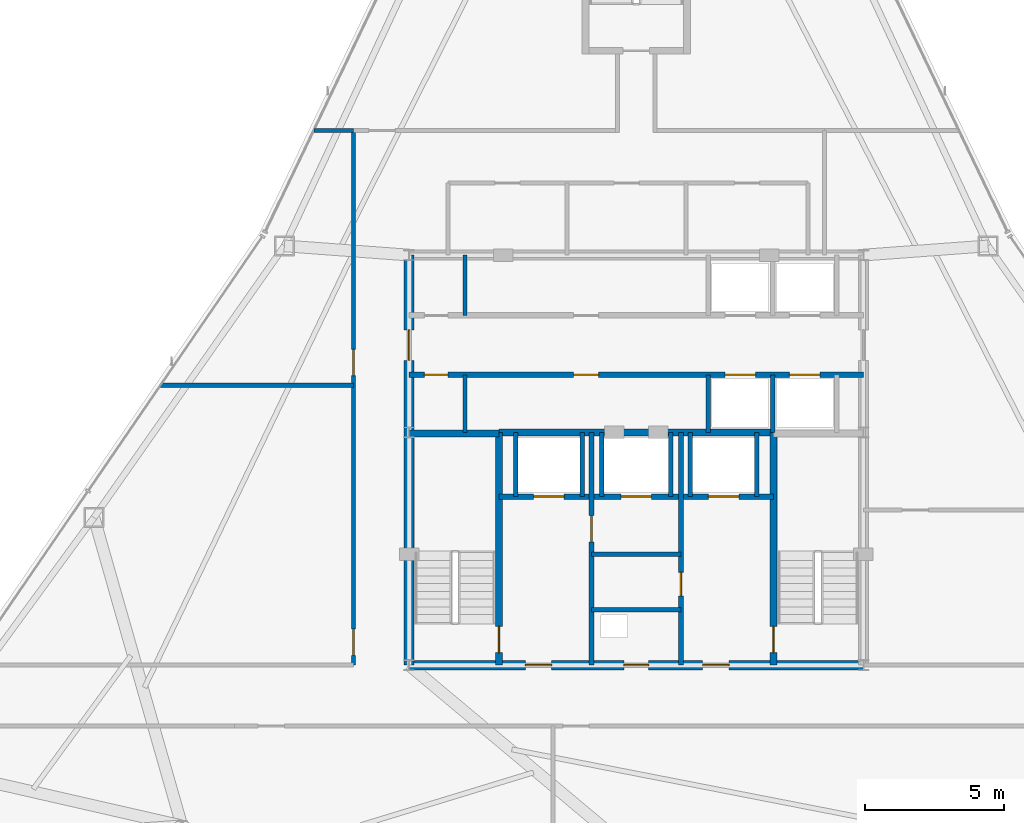
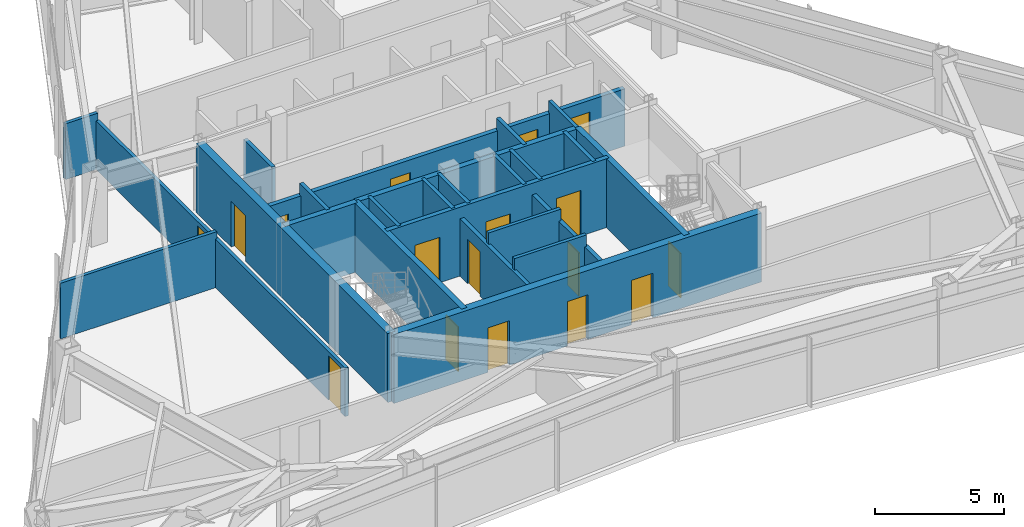
# One storey, part 9 of 12: 25 walls, 17 doors, 17 openings.
"""IFC4 building model written with IfcOpenShell, lengths in metres."""

from ifc_helpers import new_model, si_unit, direction, frame, frame_2d, origin, place, context, subcontext, project, spatial, rectangle, extrude, material, layer, layer_set, type_object, element, fill, save


model = new_model("IFC4")

# Units and contexts
model_context = context("Model", 3, precision=1e-05, world=origin(), true_north=direction((0.0, 1.0)))
body_context = subcontext(model_context, "Body", "Model", "MODEL_VIEW")
ifc_project = project(units=[si_unit("LENGTHUNIT", "METRE"), si_unit("AREAUNIT", "SQUARE_METRE"), si_unit("VOLUMEUNIT", "CUBIC_METRE"), si_unit("PLANEANGLEUNIT", "RADIAN"), si_unit("MASSUNIT", "GRAM", prefix="KILO")], contexts=[model_context])

# Site, building, storey
site_placement = place(None, origin())
site = spatial("IfcSite", under=ifc_project, at=site_placement, CompositionType="ELEMENT")
building_placement = place(site_placement, origin())
building = spatial("IfcBuilding", under=site, at=building_placement, Name="Varakhsha Concourse Tower", CompositionType="ELEMENT")
storey_placement = place(building_placement, frame((0.0, 0.0, 218.89990234375)))
storey = spatial("IfcBuildingStorey", under=building, at=storey_placement, Name="L62", CompositionType="ELEMENT", Elevation=218.89990234375)

# Wall, openings, doors
ifc_material_1 = material(Name="Concrete fc 65 MPa", Category="concrete")
ifc_layer_1 = layer(ifc_material_1, 0.35009765625, Name="WL-CORE-350")
ifc_layer_set_1 = layer_set([ifc_layer_1], Name="Concrete fc 65 MPa")
wall_type_1 = type_object("IfcWallType", Name="WL-CORE-350", PredefinedType="SHEAR", material=ifc_layer_set_1)
wall_1_placement = place(storey_placement, frame((31.800048828125, 16.39990234375, 0.0), z_axis=(0.0, 0.0, 1.0), x_axis=(1.0, 0.0, 0.0)))
wall_1 = element("IfcWall", 1, at=wall_1_placement, inside=storey, type_object=wall_type_1, Name="L62 Wall CWALL-S-L62", PredefinedType="SHEAR", context=body_context, shape_type="SweptSolid", body=[
    extrude(rectangle(XDim=16.39990234375, YDim=0.35009765625, at=frame_2d((8.199951171875, 0.0))), origin(), (0.0, 0.0, 1.0), 3.25),
])
opening_1_placement = place(wall_1_placement, frame((7.75, 0.0, 0.0)))
opening_1 = element("IfcOpeningElement", 2, at=opening_1_placement, cuts=wall_1, Name="Opening DF-06", PredefinedType="OPENING", context=body_context, shape_type="SweptSolid", body=[
    extrude(rectangle(XDim=0.89990234375, YDim=2.10009765625, at=frame_2d((0.449951171875, 1.050048828125))), frame((0.0, 0.18505859375, 0.0), z_axis=(0.0, -1.0, 0.0), x_axis=(1.0, 0.0, 0.0)), (0.0, 0.0, 1.0), 0.3701171875),
])
opening_2_placement = place(wall_1_placement, frame((4.199951171875, 0.0, 0.0)))
opening_2 = element("IfcOpeningElement", 3, at=opening_2_placement, cuts=wall_1, Name="Opening DF-05", PredefinedType="OPENING", context=body_context, shape_type="SweptSolid", body=[
    extrude(rectangle(XDim=0.949951171875, YDim=2.10009765625, at=frame_2d((0.47509765625, 1.050048828125))), frame((0.0, 0.18505859375, 0.0), z_axis=(0.0, -1.0, 0.0), x_axis=(1.0, 0.0, 0.0)), (0.0, 0.0, 1.0), 0.3701171875),
])
opening_3_placement = place(wall_1_placement, frame((10.60009765625, 0.0, 0.0)))
opening_3 = element("IfcOpeningElement", 4, at=opening_3_placement, cuts=wall_1, Name="Opening DF-05", PredefinedType="OPENING", context=body_context, shape_type="SweptSolid", body=[
    extrude(rectangle(XDim=0.949951171875, YDim=2.10009765625, at=frame_2d((0.47509765625, 1.050048828125))), frame((0.0, 0.18505859375, 0.0), z_axis=(0.0, -1.0, 0.0), x_axis=(1.0, 0.0, 0.0)), (0.0, 0.0, 1.0), 0.3701171875),
])
ifc_material_2 = material(Name="Hollow Galvanised Steel Fire Door Assembly", Category="steel")
door_type_1 = type_object("IfcDoorType", Name="DR-FD60-900", OperationType="NOTDEFINED", PredefinedType="DOOR", material=ifc_material_2)
door_1_placement = place(opening_1_placement, origin())
door_1 = element("IfcDoor", 5, at=door_1_placement, inside=storey, type_object=door_type_1, Name="L62 Electrical Riser Door", OperationType="SINGLE_SWING_LEFT", OverallHeight=2.10009765625, OverallWidth=0.89990234375, PredefinedType="DOOR", context=body_context, shape_type="SweptSolid", body=[
    extrude(rectangle(XDim=0.89990234375, YDim=2.10009765625, at=frame_2d((0.449951171875, 1.050048828125))), frame((0.0, 0.02490234375, 0.0), z_axis=(0.0, -1.0, 0.0), x_axis=(1.0, 0.0, 0.0)), (0.0, 0.0, 1.0), 0.050048828125),
])
fill(opening_1, door_1)
door_type_2 = type_object("IfcDoorType", Name="DR-FD60-950", OperationType="NOTDEFINED", PredefinedType="DOOR", material=ifc_material_2)
door_2_placement = place(opening_2_placement, origin())
door_2 = element("IfcDoor", 6, at=door_2_placement, inside=storey, type_object=door_type_2, Name="L62 Firefighting Lobby West Door", OperationType="SINGLE_SWING_RIGHT", OverallHeight=2.10009765625, OverallWidth=0.949951171875, PredefinedType="DOOR", context=body_context, shape_type="SweptSolid", body=[
    extrude(rectangle(XDim=0.949951171875, YDim=2.10009765625, at=frame_2d((0.47509765625, 1.050048828125))), frame((0.0, 0.02490234375, 0.0), z_axis=(0.0, -1.0, 0.0), x_axis=(1.0, 0.0, 0.0)), (0.0, 0.0, 1.0), 0.050048828125),
])
fill(opening_2, door_2)
door_3_placement = place(opening_3_placement, origin())
door_3 = element("IfcDoor", 7, at=door_3_placement, inside=storey, type_object=door_type_2, Name="L62 Firefighting Lobby East Door", OperationType="SINGLE_SWING_LEFT", OverallHeight=2.10009765625, OverallWidth=0.949951171875, PredefinedType="DOOR", context=body_context, shape_type="SweptSolid", body=[
    extrude(rectangle(XDim=0.949951171875, YDim=2.10009765625, at=frame_2d((0.47509765625, 1.050048828125))), frame((0.0, 0.02490234375, 0.0), z_axis=(0.0, -1.0, 0.0), x_axis=(1.0, 0.0, 0.0)), (0.0, 0.0, 1.0), 0.050048828125),
])
fill(opening_3, door_3)

# Wall, opening, door
wall_2_placement = place(storey_placement, frame((31.800048828125, 16.39990234375, 0.0), z_axis=(0.0, 0.0, 1.0), x_axis=(0.0, 1.0, 0.0)))
wall_2 = element("IfcWall", 8, at=wall_2_placement, inside=storey, type_object=wall_type_1, Name="L62 Wall CWALL-W-L62", PredefinedType="SHEAR", context=body_context, shape_type="SweptSolid", body=[
    extrude(rectangle(XDim=14.800048828125, YDim=0.35009765625, at=frame_2d((7.39990234375, 0.0))), origin(), (0.0, 0.0, 1.0), 3.25),
])
opening_4_placement = place(wall_2_placement, frame((11.0, 0.0, 0.0)))
opening_4 = element("IfcOpeningElement", 9, at=opening_4_placement, cuts=wall_2, Name="Opening DL-01", PredefinedType="OPENING", context=body_context, shape_type="SweptSolid", body=[
    extrude(rectangle(XDim=1.10009765625, YDim=2.14990234375, at=frame_2d((0.550048828125, 1.074951171875))), frame((0.0, 0.18505859375, 0.0), z_axis=(0.0, -1.0, 0.0), x_axis=(1.0, 0.0, 0.0)), (0.0, 0.0, 1.0), 0.3701171875),
])
ifc_material_3 = material(Name="Anodised Bronze Architectural Aluminium AA 6063-T6", Category="aluminium")
door_type_3 = type_object("IfcDoorType", Name="DR-LOB-1100", OperationType="NOTDEFINED", PredefinedType="DOOR", material=ifc_material_3)
door_4_placement = place(opening_4_placement, origin())
door_4 = element("IfcDoor", 10, at=door_4_placement, inside=storey, type_object=door_type_3, Name="L62 Lift Lobby West Concourse Door", OperationType="SINGLE_SWING_LEFT", OverallHeight=2.14990234375, OverallWidth=1.10009765625, PredefinedType="DOOR", context=body_context, shape_type="SweptSolid", body=[
    extrude(rectangle(XDim=1.10009765625, YDim=2.14990234375, at=frame_2d((0.550048828125, 1.074951171875))), frame((0.0, 0.02490234375, 0.0), z_axis=(0.0, -1.0, 0.0), x_axis=(1.0, 0.0, 0.0)), (0.0, 0.0, 1.0), 0.050048828125),
])
fill(opening_4, door_4)

ifc_material_4 = material(Name="Fire-Rated Type X Gypsum Partition Assembly", Category="gypsum")
ifc_layer_2 = layer(ifc_material_4, 0.179931640625, Name="WL-FFLOB-180")
ifc_layer_set_2 = layer_set([ifc_layer_2], Name="Fire-Rated Type X Gypsum Partition Assembly")
wall_type_2 = type_object("IfcWallType", Name="WL-FFLOB-180", PredefinedType="PARTITIONING", material=ifc_layer_set_2)
wall_3_placement = place(storey_placement, frame((38.389892578125, 16.39990234375, 0.0), z_axis=(0.0, 0.0, 1.0), x_axis=(0.0, 1.0, 0.0)))
wall_3 = element("IfcWall", 11, at=wall_3_placement, inside=storey, type_object=wall_type_2, Name="L62 Wall FFW-1E-L62", PredefinedType="PARTITIONING", context=body_context, shape_type="SweptSolid", body=[
    extrude(rectangle(XDim=8.400146484375, YDim=0.179931640625, at=frame_2d((4.2001953125, 0.0))), origin(), (0.0, 0.0, 1.0), 2.705078125),
])
opening_5_placement = place(wall_3_placement, frame((4.449951171875, 0.0, 0.0)))
opening_5 = element("IfcOpeningElement", 12, at=opening_5_placement, cuts=wall_3, Name="Opening DF-05", PredefinedType="OPENING", context=body_context, shape_type="SweptSolid", body=[
    extrude(rectangle(XDim=0.949951171875, YDim=2.10009765625, at=frame_2d((0.47509765625, 1.050048828125))), frame((0.0, 0.099853515625, 0.0), z_axis=(0.0, -1.0, 0.0), x_axis=(1.0, 0.0, 0.0)), (0.0, 0.0, 1.0), 0.199951171875),
])
door_5_placement = place(opening_5_placement, origin())
door_5 = element("IfcDoor", 13, at=door_5_placement, inside=storey, type_object=door_type_2, Name="L62 Service Vestibule Door", OperationType="SINGLE_SWING_RIGHT", OverallHeight=2.10009765625, OverallWidth=0.949951171875, PredefinedType="DOOR", context=body_context, shape_type="SweptSolid", body=[
    extrude(rectangle(XDim=0.949951171875, YDim=2.10009765625, at=frame_2d((0.47509765625, 1.050048828125))), frame((0.0, 0.02490234375, 0.0), z_axis=(0.0, -1.0, 0.0), x_axis=(1.0, 0.0, 0.0)), (0.0, 0.0, 1.0), 0.050048828125),
])
fill(opening_5, door_5)

wall_4_placement = place(storey_placement, frame((41.610107421875, 16.39990234375, 0.0), z_axis=(0.0, 0.0, 1.0), x_axis=(0.0, 1.0, 0.0)))
wall_4 = element("IfcWall", 14, at=wall_4_placement, inside=storey, type_object=wall_type_2, Name="L62 Wall FFW-2W-L62", PredefinedType="PARTITIONING", context=body_context, shape_type="SweptSolid", body=[
    extrude(rectangle(XDim=8.400146484375, YDim=0.179931640625, at=frame_2d((4.2001953125, 0.0))), origin(), (0.0, 0.0, 1.0), 2.705078125),
])
opening_6_placement = place(wall_4_placement, frame((2.5, 0.0, 0.0)))
opening_6 = element("IfcOpeningElement", 15, at=opening_6_placement, cuts=wall_4, Name="Opening DF-07", PredefinedType="OPENING", context=body_context, shape_type="SweptSolid", body=[
    extrude(rectangle(XDim=0.85009765625, YDim=2.050048828125, at=frame_2d((0.425048828125, 1.02490234375))), frame((0.0, 0.099853515625, 0.0), z_axis=(0.0, -1.0, 0.0), x_axis=(1.0, 0.0, 0.0)), (0.0, 0.0, 1.0), 0.199951171875),
])
door_type_4 = type_object("IfcDoorType", Name="DR-FD60-850", OperationType="NOTDEFINED", PredefinedType="DOOR", material=ifc_material_2)
door_6_placement = place(opening_6_placement, origin())
door_6 = element("IfcDoor", 16, at=door_6_placement, inside=storey, type_object=door_type_4, Name="L62 Telecoms Node Door", OperationType="SINGLE_SWING_LEFT", OverallHeight=2.050048828125, OverallWidth=0.85009765625, PredefinedType="DOOR", context=body_context, shape_type="SweptSolid", body=[
    extrude(rectangle(XDim=0.85009765625, YDim=2.050048828125, at=frame_2d((0.425048828125, 1.02490234375))), frame((0.0, 0.02490234375, 0.0), z_axis=(0.0, -1.0, 0.0), x_axis=(1.0, 0.0, 0.0)), (0.0, 0.0, 1.0), 0.050048828125),
])
fill(opening_6, door_6)

# Walls
ifc_layer_3 = layer(ifc_material_4, 0.14990234375, Name="WL-PART-150")
ifc_layer_set_3 = layer_set([ifc_layer_3], Name="Fire-Rated Type X Gypsum Partition Assembly")
wall_type_3 = type_object("IfcWallType", Name="WL-PART-150", PredefinedType="PARTITIONING", material=ifc_layer_set_3)
for number, where, z_axis, x_axis, name in (
    (17, (38.389892578125, 18.39990234375, 0.0), (0.0, 0.0, 1.0), (1.0, 0.0, 0.0), "L62 Wall RSW-H1-L62"),
    (18, (38.389892578125, 20.39990234375, 0.0), (0.0, 0.0, 1.0), (1.0, 0.0, 0.0), "L62 Wall RSW-H2-L62"),
):
    element("IfcWall", number, at=place(storey_placement, frame(where, z_axis=z_axis, x_axis=x_axis)), inside=storey, type_object=wall_type_3, Name=name, PredefinedType="PARTITIONING", context=body_context, shape_type="SweptSolid", body=[
        extrude(rectangle(XDim=3.22021484375, YDim=0.14990234375, at=frame_2d((1.610107421875, 0.0))), origin(), (0.0, 0.0, 1.0), 3.25),
    ])

# Wall, openings, doors
wall_5_placement = place(storey_placement, frame((29.800048828125, 16.39990234375, 0.0), z_axis=(0.0, 0.0, 1.0), x_axis=(0.0, 1.0, 0.0)))
wall_5 = element("IfcWall", 19, at=wall_5_placement, inside=storey, type_object=wall_type_3, Name="L62 Wall CRW-W-L62", PredefinedType="PARTITIONING", context=body_context, shape_type="SweptSolid", body=[
    extrude(rectangle(XDim=19.300048828125, YDim=0.14990234375, at=frame_2d((9.64990234375, 0.0))), origin(), (0.0, 0.0, 1.0), 2.2919921875),
])
opening_7_placement = place(wall_5_placement, frame((0.35009765625, 0.0, 0.0)))
opening_7 = element("IfcOpeningElement", 20, at=opening_7_placement, cuts=wall_5, Name="Opening DF-05", PredefinedType="OPENING", context=body_context, shape_type="SweptSolid", body=[
    extrude(rectangle(XDim=0.949951171875, YDim=2.10009765625, at=frame_2d((0.47509765625, 1.050048828125))), frame((0.0, 0.0849609375, 0.0), z_axis=(0.0, -1.0, 0.0), x_axis=(1.0, 0.0, 0.0)), (0.0, 0.0, 1.0), 0.169921875),
])
opening_8_placement = place(wall_5_placement, frame((10.449951171875, 0.0, 0.0)))
opening_8 = element("IfcOpeningElement", 21, at=opening_8_placement, cuts=wall_5, Name="Opening DF-05", PredefinedType="OPENING", context=body_context, shape_type="SweptSolid", body=[
    extrude(rectangle(XDim=0.949951171875, YDim=2.10009765625, at=frame_2d((0.47509765625, 1.050048828125))), frame((0.0, 0.0849609375, 0.0), z_axis=(0.0, -1.0, 0.0), x_axis=(1.0, 0.0, 0.0)), (0.0, 0.0, 1.0), 0.169921875),
])
door_7_placement = place(opening_7_placement, origin())
door_7 = element("IfcDoor", 22, at=door_7_placement, inside=storey, type_object=door_type_2, Name="L62 Institutional Client Office L62 Door", OperationType="SINGLE_SWING_LEFT", OverallHeight=2.10009765625, OverallWidth=0.949951171875, PredefinedType="DOOR", context=body_context, shape_type="SweptSolid", body=[
    extrude(rectangle(XDim=0.949951171875, YDim=2.10009765625, at=frame_2d((0.47509765625, 1.050048828125))), frame((0.0, 0.02490234375, 0.0), z_axis=(0.0, -1.0, 0.0), x_axis=(1.0, 0.0, 0.0)), (0.0, 0.0, 1.0), 0.050048828125),
])
fill(opening_7, door_7)
door_8_placement = place(opening_8_placement, origin())
door_8 = element("IfcDoor", 23, at=door_8_placement, inside=storey, type_object=door_type_2, Name="L62 Quantitative Analytics Studio L62-W2 Door", OperationType="SINGLE_SWING_RIGHT", OverallHeight=2.10009765625, OverallWidth=0.949951171875, PredefinedType="DOOR", context=body_context, shape_type="SweptSolid", body=[
    extrude(rectangle(XDim=0.949951171875, YDim=2.10009765625, at=frame_2d((0.47509765625, 1.050048828125))), frame((0.0, 0.02490234375, 0.0), z_axis=(0.0, -1.0, 0.0), x_axis=(1.0, 0.0, 0.0)), (0.0, 0.0, 1.0), 0.050048828125),
])
fill(opening_8, door_8)

# Walls
wall_6_placement = place(storey_placement, frame((28.361083984375, 35.699951171875, 0.0), z_axis=(0.0, 0.0, 1.0), x_axis=(1.0, 0.0, 0.0)))
element("IfcWall", 24, at=wall_6_placement, inside=storey, type_object=wall_type_3, Name="L62 Wall ODIV-WBN-L62", PredefinedType="PARTITIONING", context=body_context, shape_type="SweptSolid", body=[
    extrude(rectangle(XDim=1.43896484375, YDim=0.14990234375, at=frame_2d((0.719482421875, 0.0))), origin(), (0.0, 0.0, 1.0), 2.628173828125),
])
wall_7_placement = place(storey_placement, frame((22.8310546875, 26.5, 0.0), z_axis=(0.0, 0.0, 1.0), x_axis=(1.0, 0.0, 0.0)))
element("IfcWall", 25, at=wall_7_placement, inside=storey, type_object=wall_type_3, Name="L62 Wall ODIV-W1-L62", PredefinedType="PARTITIONING", context=body_context, shape_type="SweptSolid", body=[
    extrude(rectangle(XDim=6.968994140625, YDim=0.14990234375, at=frame_2d((3.484375, 0.0))), origin(), (0.0, 0.0, 1.0), 2.628173828125),
])

# Wall, openings, doors
ifc_layer_4 = layer(ifc_material_4, 0.199951171875, Name="WL-SHAFT-220")
ifc_layer_set_4 = layer_set([ifc_layer_4], Name="Fire-Rated Type X Gypsum Partition Assembly")
wall_type_4 = type_object("IfcWallType", Name="WL-SHAFT-220", PredefinedType="SOLIDWALL", material=ifc_layer_set_4)
wall_8_placement = place(storey_placement, frame((35.044921875, 22.47998046875, 0.0), z_axis=(0.0, 0.0, 1.0), x_axis=(1.0, 0.0, 0.0)))
wall_8 = element("IfcWall", 26, at=wall_8_placement, inside=storey, type_object=wall_type_4, Name="L62 Wall FFW-NH-L62", PredefinedType="SOLIDWALL", context=body_context, shape_type="SweptSolid", body=[
    extrude(rectangle(XDim=9.91015625, YDim=0.199951171875, at=frame_2d((4.955078125, 0.0))), origin(), (0.0, 0.0, 1.0), 3.25),
])
opening_9_placement = place(wall_8_placement, frame((1.2548828125, 0.0, 0.0)))
opening_9 = element("IfcOpeningElement", 27, at=opening_9_placement, cuts=wall_8, Name="Opening LD-FFL-1", PredefinedType="OPENING", context=body_context, shape_type="SweptSolid", body=[
    extrude(rectangle(XDim=1.10009765625, YDim=2.14990234375, at=frame_2d((0.550048828125, 1.074951171875))), frame((0.0, 0.10986328125, 0.0), z_axis=(0.0, -1.0, 0.0), x_axis=(1.0, 0.0, 0.0)), (0.0, 0.0, 1.0), 0.219970703125),
])
opening_10_placement = place(wall_8_placement, frame((7.554931640625, 0.0, 0.0)))
opening_10 = element("IfcOpeningElement", 28, at=opening_10_placement, cuts=wall_8, Name="Opening LD-FFL-2", PredefinedType="OPENING", context=body_context, shape_type="SweptSolid", body=[
    extrude(rectangle(XDim=1.10009765625, YDim=2.14990234375, at=frame_2d((0.550048828125, 1.074951171875))), frame((0.0, 0.10986328125, 0.0), z_axis=(0.0, -1.0, 0.0), x_axis=(1.0, 0.0, 0.0)), (0.0, 0.0, 1.0), 0.219970703125),
])
opening_11_placement = place(wall_8_placement, frame((4.405029296875, 0.0, 0.0)))
opening_11 = element("IfcOpeningElement", 29, at=opening_11_placement, cuts=wall_8, Name="Opening LD-SVL-1", PredefinedType="OPENING", context=body_context, shape_type="SweptSolid", body=[
    extrude(rectangle(XDim=1.10009765625, YDim=2.14990234375, at=frame_2d((0.550048828125, 1.074951171875))), frame((0.0, 0.10986328125, 0.0), z_axis=(0.0, -1.0, 0.0), x_axis=(1.0, 0.0, 0.0)), (0.0, 0.0, 1.0), 0.219970703125),
])
ifc_material_5 = material(Name="Brushed Austenitic Stainless Steel AISI 316", Category="steel")
door_type_5 = type_object("IfcDoorType", Name="DR-LD-1100", OperationType="DOUBLE_DOOR_SLIDING", PredefinedType="DOOR", material=ifc_material_5)
door_9_placement = place(opening_9_placement, origin())
door_9 = element("IfcDoor", 30, at=door_9_placement, inside=storey, type_object=door_type_5, Name="Lift Landing Door FFL-1 L62", OperationType="DOUBLE_DOOR_SLIDING", OverallHeight=2.14990234375, OverallWidth=1.10009765625, PredefinedType="DOOR", context=body_context, shape_type="SweptSolid", body=[
    extrude(rectangle(XDim=1.10009765625, YDim=2.14990234375, at=frame_2d((0.550048828125, 1.074951171875))), frame((0.0, 0.02490234375, 0.0), z_axis=(0.0, -1.0, 0.0), x_axis=(1.0, 0.0, 0.0)), (0.0, 0.0, 1.0), 0.050048828125),
])
fill(opening_9, door_9)
door_10_placement = place(opening_10_placement, origin())
door_10 = element("IfcDoor", 31, at=door_10_placement, inside=storey, type_object=door_type_5, Name="Lift Landing Door FFL-2 L62", OperationType="DOUBLE_DOOR_SLIDING", OverallHeight=2.14990234375, OverallWidth=1.10009765625, PredefinedType="DOOR", context=body_context, shape_type="SweptSolid", body=[
    extrude(rectangle(XDim=1.10009765625, YDim=2.14990234375, at=frame_2d((0.550048828125, 1.074951171875))), frame((0.0, 0.02490234375, 0.0), z_axis=(0.0, -1.0, 0.0), x_axis=(1.0, 0.0, 0.0)), (0.0, 0.0, 1.0), 0.050048828125),
])
fill(opening_10, door_10)
door_11_placement = place(opening_11_placement, origin())
door_11 = element("IfcDoor", 32, at=door_11_placement, inside=storey, type_object=door_type_5, Name="Lift Landing Door SVL-1 L62", OperationType="DOUBLE_DOOR_SLIDING", OverallHeight=2.14990234375, OverallWidth=1.10009765625, PredefinedType="DOOR", context=body_context, shape_type="SweptSolid", body=[
    extrude(rectangle(XDim=1.10009765625, YDim=2.14990234375, at=frame_2d((0.550048828125, 1.074951171875))), frame((0.0, 0.02490234375, 0.0), z_axis=(0.0, -1.0, 0.0), x_axis=(1.0, 0.0, 0.0)), (0.0, 0.0, 1.0), 0.050048828125),
])
fill(opening_11, door_11)

# Walls
for number, where, z_axis, x_axis, name in (
    (33, (35.64990234375, 22.47998046875, 0.0), (0.0, 0.0, 1.0), (0.0, 1.0, 0.0), "L62 Wall SHW-FFL-1-W-L62"),
    (34, (38.050048828125, 22.47998046875, 0.0), (0.0, 0.0, 1.0), (0.0, 1.0, 0.0), "L62 Wall SHW-FFL-1-E-L62"),
    (35, (41.949951171875, 22.47998046875, 0.0), (0.0, 0.0, 1.0), (0.0, 1.0, 0.0), "L62 Wall SHW-FFL-2-W-L62"),
    (36, (44.35009765625, 22.47998046875, 0.0), (0.0, 0.0, 1.0), (0.0, 1.0, 0.0), "L62 Wall SHW-FFL-2-E-L62"),
    (37, (38.75, 22.47998046875, 0.0), (0.0, 0.0, 1.0), (0.0, 1.0, 0.0), "L62 Wall SHW-SVL-1-W-L62"),
    (38, (41.25, 22.47998046875, 0.0), (0.0, 0.0, 1.0), (0.0, 1.0, 0.0), "L62 Wall SHW-SVL-1-E-L62"),
):
    element("IfcWall", number, at=place(storey_placement, frame(where, z_axis=z_axis, x_axis=x_axis)), inside=storey, type_object=wall_type_4, Name=name, PredefinedType="SOLIDWALL", context=body_context, shape_type="SweptSolid", body=[
        extrude(rectangle(XDim=2.320068359375, YDim=0.159912109375, at=frame_2d((1.16015625, 0.0))), origin(), (0.0, 0.0, 1.0), 3.25),
    ])

# Wall, openings, doors
wall_9_placement = place(storey_placement, frame((31.800048828125, 26.8798828125, 0.0), z_axis=(0.0, 0.0, 1.0), x_axis=(1.0, 0.0, 0.0)))
wall_9 = element("IfcWall", 39, at=wall_9_placement, inside=storey, type_object=wall_type_4, Name="L62 Wall PLW-S-L62", PredefinedType="SOLIDWALL", context=body_context, shape_type="SweptSolid", body=[
    extrude(rectangle(XDim=16.39990234375, YDim=0.199951171875, at=frame_2d((8.199951171875, 0.0))), origin(), (0.0, 0.0, 1.0), 2.705078125),
])
opening_12_placement = place(wall_9_placement, frame((0.550048828125, 0.0, 0.0)))
opening_12 = element("IfcOpeningElement", 40, at=opening_12_placement, cuts=wall_9, Name="Opening DF-07", PredefinedType="OPENING", context=body_context, shape_type="SweptSolid", body=[
    extrude(rectangle(XDim=0.85009765625, YDim=2.050048828125, at=frame_2d((0.425048828125, 1.02490234375))), frame((0.0, 0.10986328125, 0.0), z_axis=(0.0, -1.0, 0.0), x_axis=(1.0, 0.0, 0.0)), (0.0, 0.0, 1.0), 0.219970703125),
])
opening_13_placement = place(wall_9_placement, frame((5.93994140625, 0.0, 0.0)))
opening_13 = element("IfcOpeningElement", 41, at=opening_13_placement, cuts=wall_9, Name="Opening DF-06", PredefinedType="OPENING", context=body_context, shape_type="SweptSolid", body=[
    extrude(rectangle(XDim=0.89990234375, YDim=2.10009765625, at=frame_2d((0.449951171875, 1.050048828125))), frame((0.0, 0.10986328125, 0.0), z_axis=(0.0, -1.0, 0.0), x_axis=(1.0, 0.0, 0.0)), (0.0, 0.0, 1.0), 0.219970703125),
])
opening_14_placement = place(wall_9_placement, frame((11.409912109375, 0.0, 0.0)))
opening_14 = element("IfcOpeningElement", 42, at=opening_14_placement, cuts=wall_9, Name="Opening LD-LF-P11", PredefinedType="OPENING", context=body_context, shape_type="SweptSolid", body=[
    extrude(rectangle(XDim=1.10009765625, YDim=2.14990234375, at=frame_2d((0.550048828125, 1.074951171875))), frame((0.0, 0.10986328125, 0.0), z_axis=(0.0, -1.0, 0.0), x_axis=(1.0, 0.0, 0.0)), (0.0, 0.0, 1.0), 0.219970703125),
])
opening_15_placement = place(wall_9_placement, frame((13.72998046875, 0.0, 0.0)))
opening_15 = element("IfcOpeningElement", 43, at=opening_15_placement, cuts=wall_9, Name="Opening LD-LF-P12", PredefinedType="OPENING", context=body_context, shape_type="SweptSolid", body=[
    extrude(rectangle(XDim=1.10009765625, YDim=2.14990234375, at=frame_2d((0.550048828125, 1.074951171875))), frame((0.0, 0.10986328125, 0.0), z_axis=(0.0, -1.0, 0.0), x_axis=(1.0, 0.0, 0.0)), (0.0, 0.0, 1.0), 0.219970703125),
])
door_12_placement = place(opening_12_placement, origin())
door_12 = element("IfcDoor", 44, at=door_12_placement, inside=storey, type_object=door_type_4, Name="L62 Core Telecoms Closet Door", OperationType="SINGLE_SWING_RIGHT", OverallHeight=2.050048828125, OverallWidth=0.85009765625, PredefinedType="DOOR", context=body_context, shape_type="SweptSolid", body=[
    extrude(rectangle(XDim=0.85009765625, YDim=2.050048828125, at=frame_2d((0.425048828125, 1.02490234375))), frame((0.0, 0.02490234375, 0.0), z_axis=(0.0, -1.0, 0.0), x_axis=(1.0, 0.0, 0.0)), (0.0, 0.0, 1.0), 0.050048828125),
])
fill(opening_12, door_12)
door_13_placement = place(opening_13_placement, origin())
door_13 = element("IfcDoor", 45, at=door_13_placement, inside=storey, type_object=door_type_1, Name="L62 Executive Pantry and Copy Suite Door", OperationType="SINGLE_SWING_RIGHT", OverallHeight=2.10009765625, OverallWidth=0.89990234375, PredefinedType="DOOR", context=body_context, shape_type="SweptSolid", body=[
    extrude(rectangle(XDim=0.89990234375, YDim=2.10009765625, at=frame_2d((0.449951171875, 1.050048828125))), frame((0.0, 0.02490234375, 0.0), z_axis=(0.0, -1.0, 0.0), x_axis=(1.0, 0.0, 0.0)), (0.0, 0.0, 1.0), 0.050048828125),
])
fill(opening_13, door_13)
door_14_placement = place(opening_14_placement, origin())
door_14 = element("IfcDoor", 46, at=door_14_placement, inside=storey, type_object=door_type_5, Name="Lift Landing Door LF-P11 L62", OperationType="DOUBLE_DOOR_SLIDING", OverallHeight=2.14990234375, OverallWidth=1.10009765625, PredefinedType="DOOR", context=body_context, shape_type="SweptSolid", body=[
    extrude(rectangle(XDim=1.10009765625, YDim=2.14990234375, at=frame_2d((0.550048828125, 1.074951171875))), frame((0.0, 0.02490234375, 0.0), z_axis=(0.0, -1.0, 0.0), x_axis=(1.0, 0.0, 0.0)), (0.0, 0.0, 1.0), 0.050048828125),
])
fill(opening_14, door_14)
door_15_placement = place(opening_15_placement, origin())
door_15 = element("IfcDoor", 47, at=door_15_placement, inside=storey, type_object=door_type_5, Name="Lift Landing Door LF-P12 L62", OperationType="DOUBLE_DOOR_SLIDING", OverallHeight=2.14990234375, OverallWidth=1.10009765625, PredefinedType="DOOR", context=body_context, shape_type="SweptSolid", body=[
    extrude(rectangle(XDim=1.10009765625, YDim=2.14990234375, at=frame_2d((0.550048828125, 1.074951171875))), frame((0.0, 0.02490234375, 0.0), z_axis=(0.0, -1.0, 0.0), x_axis=(1.0, 0.0, 0.0)), (0.0, 0.0, 1.0), 0.050048828125),
])
fill(opening_15, door_15)

# Walls
wall_10_placement = place(storey_placement, frame((33.820068359375, 29.02001953125, 0.0), z_axis=(0.0, 0.0, 1.0), x_axis=(0.0, 1.0, 0.0)))
element("IfcWall", 48, at=wall_10_placement, inside=storey, type_object=wall_type_4, Name="L62 Wall WBOH-E1-L62", PredefinedType="SOLIDWALL", context=body_context, shape_type="SweptSolid", body=[
    extrude(rectangle(XDim=2.179931640625, YDim=0.159912109375, at=frame_2d((1.08984375, 0.0))), origin(), (0.0, 0.0, 1.0), 2.705078125),
])
for number, where, z_axis, x_axis, name in (
    (49, (33.820068359375, 24.800048828125, 0.0), (0.0, 0.0, 1.0), (0.0, 1.0, 0.0), "L62 Wall WBOH-E2-L62"),
    (50, (42.60009765625, 24.800048828125, 0.0), (0.0, 0.0, 1.0), (0.0, 1.0, 0.0), "L62 Wall SHW-LF-P11-W-L62"),
    (51, (44.919921875, 24.800048828125, 0.0), (0.0, 0.0, 1.0), (0.0, 1.0, 0.0), "L62 Wall SHW-LF-P11-E-L62"),
):
    element("IfcWall", number, at=place(storey_placement, frame(where, z_axis=z_axis, x_axis=x_axis)), inside=storey, type_object=wall_type_4, Name=name, PredefinedType="SOLIDWALL", context=body_context, shape_type="SweptSolid", body=[
        extrude(rectangle(XDim=2.079833984375, YDim=0.159912109375, at=frame_2d((1.0400390625, 0.0))), origin(), (0.0, 0.0, 1.0), 3.25),
    ])

# Wall, opening, door
ifc_material_6 = material(Name="Concrete fc 45 MPa", Category="concrete")
ifc_layer_5 = layer(ifc_material_6, 0.25, Name="WL-STAIR-250")
ifc_layer_set_5 = layer_set([ifc_layer_5], Name="Concrete fc 45 MPa")
wall_type_5 = type_object("IfcWallType", Name="WL-STAIR-250", PredefinedType="SHEAR", material=ifc_layer_set_5)
wall_11_placement = place(storey_placement, frame((35.044921875, 16.39990234375, 0.0), z_axis=(0.0, 0.0, 1.0), x_axis=(0.0, 1.0, 0.0)))
wall_11 = element("IfcWall", 52, at=wall_11_placement, inside=storey, type_object=wall_type_5, Name="L62 Wall SWALL-ST1-E-L62", PredefinedType="SHEAR", context=body_context, shape_type="SweptSolid", body=[
    extrude(rectangle(XDim=8.400146484375, YDim=0.25, at=frame_2d((4.2001953125, 0.0))), origin(), (0.0, 0.0, 1.0), 3.25),
])
opening_16_placement = place(wall_11_placement, frame((0.449951171875, 0.0, 0.0)))
opening_16 = element("IfcOpeningElement", 53, at=opening_16_placement, cuts=wall_11, Name="Opening DF-03", PredefinedType="OPENING", context=body_context, shape_type="SweptSolid", body=[
    extrude(rectangle(XDim=0.949951171875, YDim=2.10009765625, at=frame_2d((0.47509765625, 1.050048828125))), frame((0.0, 0.135009765625, 0.0), z_axis=(0.0, -1.0, 0.0), x_axis=(1.0, 0.0, 0.0)), (0.0, 0.0, 1.0), 0.27001953125),
])
door_type_6 = type_object("IfcDoorType", Name="DR-FD90-950", OperationType="NOTDEFINED", PredefinedType="DOOR", material=ifc_material_2)
door_16_placement = place(opening_16_placement, origin())
door_16 = element("IfcDoor", 54, at=door_16_placement, inside=storey, type_object=door_type_6, Name="L62 Stair ST1 Fire Door", OperationType="SINGLE_SWING_LEFT", OverallHeight=2.10009765625, OverallWidth=0.949951171875, PredefinedType="DOOR", context=body_context, shape_type="SweptSolid", body=[
    extrude(rectangle(XDim=0.949951171875, YDim=2.10009765625, at=frame_2d((0.47509765625, 1.050048828125))), frame((0.0, 0.02490234375, 0.0), z_axis=(0.0, -1.0, 0.0), x_axis=(1.0, 0.0, 0.0)), (0.0, 0.0, 1.0), 0.050048828125),
])
fill(opening_16, door_16)

# Wall
wall_12_placement = place(storey_placement, frame((31.800048828125, 24.7548828125, 0.0), z_axis=(0.0, 0.0, 1.0), x_axis=(1.0, 0.0, 0.0)))
element("IfcWall", 55, at=wall_12_placement, inside=storey, type_object=wall_type_5, Name="L62 Wall SWALL-ST1-N-L62", PredefinedType="SHEAR", context=body_context, shape_type="SweptSolid", body=[
    extrude(rectangle(XDim=3.244873046875, YDim=0.25, at=frame_2d((1.62255859375, 0.0))), origin(), (0.0, 0.0, 1.0), 3.25),
])

# Wall, opening, door
wall_13_placement = place(storey_placement, frame((44.955078125, 16.39990234375, 0.0), z_axis=(0.0, 0.0, 1.0), x_axis=(0.0, 1.0, 0.0)))
wall_13 = element("IfcWall", 56, at=wall_13_placement, inside=storey, type_object=wall_type_5, Name="L62 Wall SWALL-ST2-W-L62", PredefinedType="SHEAR", context=body_context, shape_type="SweptSolid", body=[
    extrude(rectangle(XDim=8.400146484375, YDim=0.25, at=frame_2d((4.2001953125, 0.0))), origin(), (0.0, 0.0, 1.0), 3.25),
])
opening_17_placement = place(wall_13_placement, frame((0.449951171875, 0.0, 0.0)))
opening_17 = element("IfcOpeningElement", 57, at=opening_17_placement, cuts=wall_13, Name="Opening DF-03", PredefinedType="OPENING", context=body_context, shape_type="SweptSolid", body=[
    extrude(rectangle(XDim=0.949951171875, YDim=2.10009765625, at=frame_2d((0.47509765625, 1.050048828125))), frame((0.0, 0.135009765625, 0.0), z_axis=(0.0, -1.0, 0.0), x_axis=(1.0, 0.0, 0.0)), (0.0, 0.0, 1.0), 0.27001953125),
])
door_17_placement = place(opening_17_placement, origin())
door_17 = element("IfcDoor", 58, at=door_17_placement, inside=storey, type_object=door_type_6, Name="L62 Stair ST2 Fire Door", OperationType="SINGLE_SWING_RIGHT", OverallHeight=2.10009765625, OverallWidth=0.949951171875, PredefinedType="DOOR", context=body_context, shape_type="SweptSolid", body=[
    extrude(rectangle(XDim=0.949951171875, YDim=2.10009765625, at=frame_2d((0.47509765625, 1.050048828125))), frame((0.0, 0.02490234375, 0.0), z_axis=(0.0, -1.0, 0.0), x_axis=(1.0, 0.0, 0.0)), (0.0, 0.0, 1.0), 0.050048828125),
])
fill(opening_17, door_17)

# Wall
wall_14_placement = place(storey_placement, frame((35.044921875, 24.800048828125, 0.0), z_axis=(0.0, 0.0, 1.0), x_axis=(1.0, 0.0, 0.0)))
element("IfcWall", 59, at=wall_14_placement, inside=storey, type_object=wall_type_5, Name="L62 Wall SWALL-MID-H-L62", PredefinedType="SHEAR", context=body_context, shape_type="SweptSolid", body=[
    extrude(rectangle(XDim=9.91015625, YDim=0.25, at=frame_2d((4.955078125, 0.0))), origin(), (0.0, 0.0, 1.0), 3.25),
])

save(model, "model.ifc")
